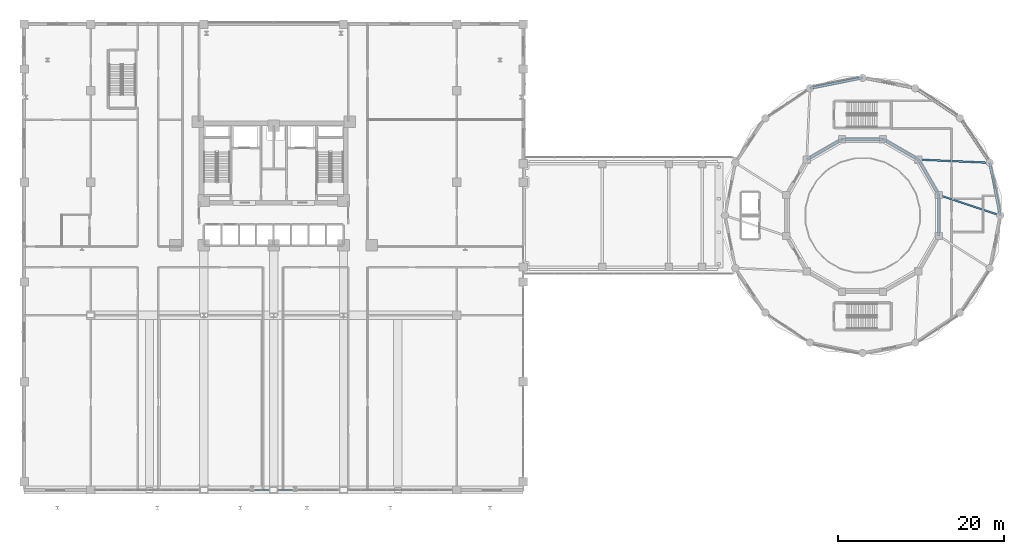
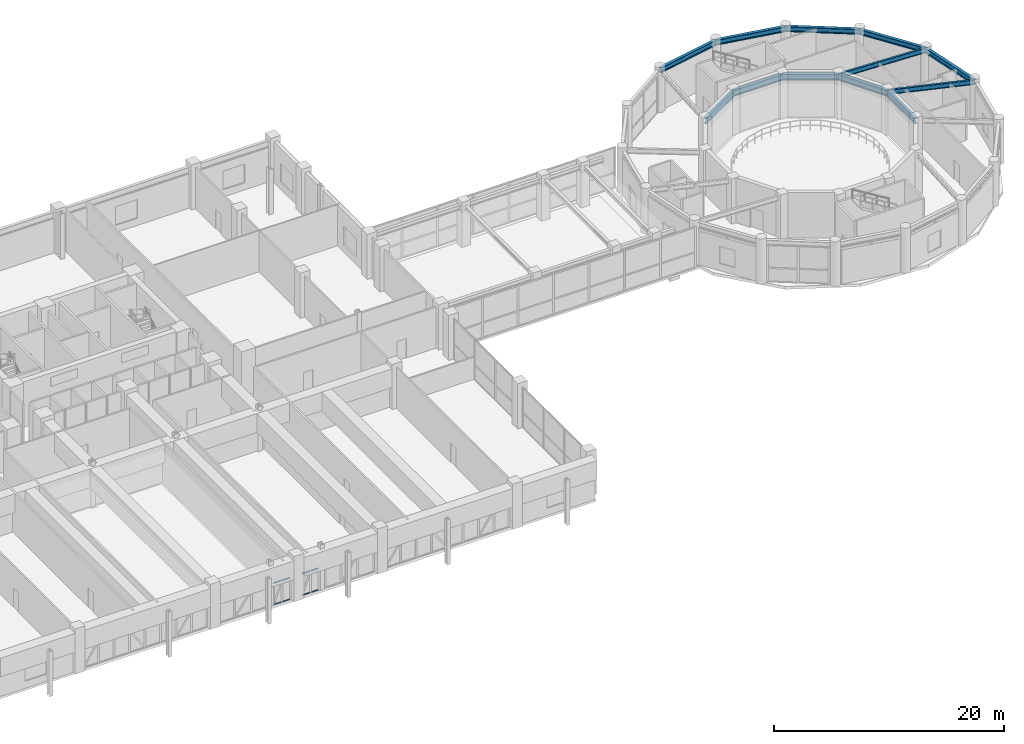
# One storey, part 25 of 44: 12 beams, 8 members, 2 elements without a shape of their own.
"""IFC4 building model written with IfcOpenShell, lengths in metres."""

from ifc_helpers import new_model, si_unit, derived_unit, direction, frame, origin, origin_2d, place, context, subcontext, project, spatial, hollow_rectangle, i_section, extrude, source, transform, mapped, material, layer, layer_set, material_profile, profile_set, type_object, element, aggregate, save


model = new_model("IFC4")

# Units and contexts
model_context = context("Model", 3, precision=1e-05, world=origin(), true_north=direction((0.0, 1.0)))
body_context = subcontext(model_context, "Body", "Model", "MODEL_VIEW")
ifc_project = project(units=[si_unit("LENGTHUNIT", "METRE"), si_unit("AREAUNIT", "SQUARE_METRE"), si_unit("VOLUMEUNIT", "CUBIC_METRE"), si_unit("PLANEANGLEUNIT", "RADIAN"), si_unit("MASSUNIT", "GRAM", prefix="KILO"), derived_unit("THERMALTRANSMITTANCEUNIT", [(si_unit("POWERUNIT", "WATT"), 1), (si_unit("LENGTHUNIT", "METRE"), -2), (si_unit("THERMODYNAMICTEMPERATUREUNIT", "KELVIN"), -1)])], contexts=[model_context])

# Site, building, storey
site_placement = place(None, origin())
site = spatial("IfcSite", under=ifc_project, at=site_placement, CompositionType="ELEMENT")
building_placement = place(site_placement, origin())
building = spatial("IfcBuilding", under=site, at=building_placement, Name="Korsvarv Bourse and Concert Hall", CompositionType="ELEMENT")
storey_placement = place(building_placement, frame((0.0, 0.0, 9.60009765625)))
storey = spatial("IfcBuildingStorey", under=building, at=storey_placement, Name="L02", CompositionType="ELEMENT", Elevation=9.60009765625)

# Beams
ifc_material_1 = material(Name="Steel S355", Category="steel")
ifc_material_profile_1 = material_profile(ifc_material_1, i_section(OverallWidth=0.300048828125, OverallDepth=0.550048828125, WebThickness=0.014892578125, FlangeThickness=0.029052734375, FilletRadius=0.02392578125, at=origin_2d()), Name="HEB 550")
ifc_profile_set_1 = profile_set([ifc_material_profile_1], Name="Steel S355")
beam_type_1 = type_object("IfcBeamType", Name="BM-HEB550", PredefinedType="BEAM", material=ifc_profile_set_1)
shared_shape_1 = source(origin(), body_context, "Body", "SweptSolid", [
    extrude(i_section(OverallWidth=0.300048828125, OverallDepth=0.550048828125, WebThickness=0.014892578125, FlangeThickness=0.029052734375, FilletRadius=0.02392578125, at=origin_2d()), origin(), (0.0, 0.0, 1.0), 6.45751953125),
])
for number, where, z_axis, x_axis, name in (
    (1, (123.35009765625, 36.0, 4.224853515625), (-0.195119974887, 0.980779381615, 0.0), (-0.980779381615, -0.195119974887, 0.0), "L02 beam B-06"),
    (2, (106.800048828125, 52.550048828125, 4.224853515625), (-0.980786616034, -0.195083607229, 0.0), (0.195083607229, -0.980786616034, 0.0), "L02 beam B-06"),
):
    element("IfcBeam", number, at=place(storey_placement, frame(where, z_axis=z_axis, x_axis=x_axis)), inside=storey, type_object=beam_type_1, Name=name, PredefinedType="BEAM", context=body_context, shape_type="MappedRepresentation", body=[
        mapped(shared_shape_1, transform((0.0, 0.0, 0.0), scale=1.0)),
    ])
shared_shape_2 = source(origin(), body_context, "Body", "SweptSolid", [
    extrude(i_section(OverallWidth=0.300048828125, OverallDepth=0.550048828125, WebThickness=0.014892578125, FlangeThickness=0.029052734375, FilletRadius=0.02392578125, at=origin_2d()), origin(), (0.0, 0.0, 1.0), 6.457275390625),
])
for number, where, z_axis, x_axis, name in (
    (3, (122.090087890625, 42.33349609375, 4.224853515625), (-0.555554952257, 0.831479822379, 0.0), (-0.831479822379, -0.555554952257, 0.0), "L02 beam B-06"),
    (4, (113.13330078125, 51.290283203125, 4.224853515625), (-0.980785177113, 0.19509084129, 0.0), (-0.19509084129, -0.980785177113, 0.0), "L02 beam B-06"),
):
    element("IfcBeam", number, at=place(storey_placement, frame(where, z_axis=z_axis, x_axis=x_axis)), inside=storey, type_object=beam_type_1, Name=name, PredefinedType="BEAM", context=body_context, shape_type="MappedRepresentation", body=[
        mapped(shared_shape_2, transform((0.0, 0.0, 0.0), scale=1.0)),
    ])
shared_shape_3 = source(origin(), body_context, "Body", "SweptSolid", [
    extrude(i_section(OverallWidth=0.300048828125, OverallDepth=0.550048828125, WebThickness=0.014892578125, FlangeThickness=0.029052734375, FilletRadius=0.02392578125, at=origin_2d()), origin(), (0.0, 0.0, 1.0), 6.457763671875),
])
beam_1_placement = place(storey_placement, frame((118.502685546875, 47.70263671875, 4.224853515625), z_axis=(-0.831474026951, 0.555563625974, 0.0), x_axis=(-0.555563625974, -0.831474026951, 0.0)))
element("IfcBeam", 5, at=beam_1_placement, inside=storey, type_object=beam_type_1, Name="L02 beam B-06", PredefinedType="BEAM", context=body_context, shape_type="MappedRepresentation", body=[
    mapped(shared_shape_3, transform((0.0, 0.0, 0.0), scale=1.0)),
])
ifc_material_profile_2 = material_profile(ifc_material_1, i_section(OverallWidth=0.300048828125, OverallDepth=0.64990234375, WebThickness=0.01611328125, FlangeThickness=0.031005859375, FilletRadius=0.027099609375, at=origin_2d()), Name="HEB 650")
ifc_profile_set_2 = profile_set([ifc_material_profile_2], Name="Steel S355")
beam_type_2 = type_object("IfcBeamType", Name="BM-HEB650", PredefinedType="BEAM", material=ifc_profile_set_2)
shared_shape_4 = source(origin(), body_context, "Body", "SweptSolid", [
    extrude(i_section(OverallWidth=0.300048828125, OverallDepth=0.64990234375, WebThickness=0.01611328125, FlangeThickness=0.031005859375, FilletRadius=0.027099609375, at=origin_2d()), origin(), (0.0, 0.0, 1.0), 4.91748046875),
])
for number, where, z_axis, x_axis, name in (
    (6, (115.976318359375, 38.458740234375, 4.1748046875), (-0.499988900423, 0.866031812033, 0.0), (-0.866031812033, -0.499988900423, 0.0), "L02 beam B-04"),
    (7, (113.517578125, 42.717529296875, 4.1748046875), (-0.866031812033, 0.499988900423, 0.0), (-0.499988900423, -0.866031812033, 0.0), "L02 beam B-04"),
    (8, (109.2587890625, 45.17626953125, 4.1748046875), (-1.0, 0.0, 0.0), (0.0, -1.0, 0.0), "L02 beam B-04"),
    (9, (104.34130859375, 45.17626953125, 4.1748046875), (-0.866031812033, -0.499988900423, 0.0), (0.499988900423, -0.866031812033, 0.0), "L02 beam B-04"),
    (10, (115.976318359375, 33.541259765625, 4.1748046875), (0.0, 1.0, 0.0), (-1.0, 0.0, 0.0), "L02 beam B-04"),
):
    element("IfcBeam", number, at=place(storey_placement, frame(where, z_axis=z_axis, x_axis=x_axis)), inside=storey, type_object=beam_type_2, Name=name, PredefinedType="BEAM", context=body_context, shape_type="MappedRepresentation", body=[
        mapped(shared_shape_4, transform((0.0, 0.0, 0.0), scale=1.0)),
    ])
ifc_material_profile_3 = material_profile(ifc_material_1, i_section(OverallWidth=0.199951171875, OverallDepth=0.5, WebThickness=0.01025390625, FlangeThickness=0.01611328125, FilletRadius=0.02099609375, at=origin_2d()), Name="IPE 500")
ifc_profile_set_3 = profile_set([ifc_material_profile_3], Name="Steel S355")
beam_type_3 = type_object("IfcBeamType", Name="BM-IPE500", PredefinedType="JOIST", material=ifc_profile_set_3)
shared_shape_5 = source(origin(), body_context, "Body", "SweptSolid", [
    extrude(i_section(OverallWidth=0.199951171875, OverallDepth=0.5, WebThickness=0.01025390625, FlangeThickness=0.01611328125, FilletRadius=0.02099609375, at=origin_2d()), origin(), (0.0, 0.0, 1.0), 7.77294921875),
])
beam_2_placement = place(storey_placement, frame((115.976318359375, 38.458740234375, 4.25), z_axis=(0.948651884177, -0.316321992039, 0.0), x_axis=(0.316321992039, 0.948651884177, 0.0)))
element("IfcBeam", 11, at=beam_2_placement, inside=storey, type_object=beam_type_3, Name="L02 beam J-03", PredefinedType="JOIST", context=body_context, shape_type="MappedRepresentation", body=[
    mapped(shared_shape_5, transform((0.0, 0.0, 0.0), scale=1.0)),
])
shared_shape_6 = source(origin(), body_context, "Body", "SweptSolid", [
    extrude(i_section(OverallWidth=0.199951171875, OverallDepth=0.5, WebThickness=0.01025390625, FlangeThickness=0.01611328125, FilletRadius=0.02099609375, at=origin_2d()), origin(), (0.0, 0.0, 1.0), 8.5810546875),
])
beam_3_placement = place(storey_placement, frame((113.517578125, 42.717529296875, 4.25), z_axis=(0.998998067431, -0.044753338082, 0.0), x_axis=(0.044753338082, 0.998998067431, 0.0)))
element("IfcBeam", 12, at=beam_3_placement, inside=storey, type_object=beam_type_3, Name="L02 beam J-03", PredefinedType="JOIST", context=body_context, shape_type="MappedRepresentation", body=[
    mapped(shared_shape_6, transform((0.0, 0.0, 0.0), scale=1.0)),
])

# Curtain wall, members
ifc_material_2 = material(Name="Anodised aluminium and triple low-E glazing", Category="glass")
ifc_layer = layer(ifc_material_2, 0.239990234375)
ifc_layer_set = layer_set([ifc_layer], Name="Anodised aluminium and triple low-E glazing")
curtain_wall_type = type_object("IfcCurtainWallType", Name="CW-SYS-5", PredefinedType="NOTDEFINED", material=ifc_layer_set)
curtain_wall_1_placement = place(storey_placement, origin())
curtain_wall_1 = element("IfcCurtainWall", 13, at=curtain_wall_1_placement, inside=storey, type_object=curtain_wall_type, Name="L02 CW5 curtain wall CW-L02-S3-2", PredefinedType="NOTDEFINED")
ifc_material_3 = material(Name="Extruded aluminium EN AW-6063 T66", Category="aluminium")
ifc_material_profile_4 = material_profile(ifc_material_3, hollow_rectangle(XDim=0.06494140625, YDim=0.139892578125, WallThickness=0.00390625, at=origin_2d()), Name="ALU-T 65x140")
ifc_profile_set_4 = profile_set([ifc_material_profile_4], Name="Extruded aluminium EN AW-6063 T66")
member_type = type_object("IfcMemberType", Name="CWT-140", PredefinedType="USERDEFINED", material=ifc_profile_set_4)
shared_shape_7 = source(origin(), body_context, "Body", "SweptSolid", [
    extrude(hollow_rectangle(XDim=0.06494140625, YDim=0.139892578125, WallThickness=0.00390625, at=origin_2d()), origin(), (0.0, 0.0, 1.0), 0.780029296875),
])
member_1_placement = place(storey_placement, frame((33.75, 3.0, 0.032470703125), z_axis=(1.0, 0.0, 0.0), x_axis=(0.0, 1.0, 0.0)))
member_1 = element("IfcMember", 14, at=member_1_placement, type_object=member_type, Name="CW5 transom 1.1", ObjectType="TRANSOM", PredefinedType="USERDEFINED", context=body_context, shape_type="MappedRepresentation", body=[
    mapped(shared_shape_7, transform((0.0, 0.0, 0.0), scale=1.0)),
])
member_2_placement = place(storey_placement, frame((33.75, 3.0, 2.3173828125), z_axis=(1.0, 0.0, 0.0), x_axis=(0.0, 1.0, 0.0)))
member_2 = element("IfcMember", 15, at=member_2_placement, type_object=member_type, Name="CW5 transom 1.2", ObjectType="TRANSOM", PredefinedType="USERDEFINED", context=body_context, shape_type="MappedRepresentation", body=[
    mapped(shared_shape_7, transform((0.0, 0.0, 0.0), scale=1.0)),
])

curtain_wall_2_placement = place(storey_placement, origin())
curtain_wall_2 = element("IfcCurtainWall", 16, at=curtain_wall_2_placement, inside=storey, type_object=curtain_wall_type, Name="L02 CW5 curtain wall CW-L02-S4-1", PredefinedType="NOTDEFINED")
member_3_placement = place(storey_placement, frame((37.469970703125, 3.0, 0.032470703125), z_axis=(1.0, 0.0, 0.0), x_axis=(0.0, 1.0, 0.0)))
member_3 = element("IfcMember", 17, at=member_3_placement, type_object=member_type, Name="CW5 transom 2.1", ObjectType="TRANSOM", PredefinedType="USERDEFINED", context=body_context, shape_type="MappedRepresentation", body=[
    mapped(shared_shape_7, transform((0.0, 0.0, 0.0), scale=1.0)),
])
member_4_placement = place(storey_placement, frame((37.469970703125, 3.0, 2.3173828125), z_axis=(1.0, 0.0, 0.0), x_axis=(0.0, 1.0, 0.0)))
member_4 = element("IfcMember", 18, at=member_4_placement, type_object=member_type, Name="CW5 transom 2.2", ObjectType="TRANSOM", PredefinedType="USERDEFINED", context=body_context, shape_type="MappedRepresentation", body=[
    mapped(shared_shape_7, transform((0.0, 0.0, 0.0), scale=1.0)),
])

# Member
shared_shape_8 = source(origin(), body_context, "Body", "SweptSolid", [
    extrude(hollow_rectangle(XDim=0.06494140625, YDim=0.139892578125, WallThickness=0.00390625, at=origin_2d()), origin(), (0.0, 0.0, 1.0), 0.77978515625),
])
member_5_placement = place(storey_placement, frame((34.60009765625, 3.0, 0.032470703125), z_axis=(1.0, 0.0, 0.0), x_axis=(0.0, 1.0, 0.0)))
member_5 = element("IfcMember", 19, at=member_5_placement, type_object=member_type, Name="CW5 transom 2.1", ObjectType="TRANSOM", PredefinedType="USERDEFINED", context=body_context, shape_type="MappedRepresentation", body=[
    mapped(shared_shape_8, transform((0.0, 0.0, 0.0), scale=1.0)),
])

member_6_placement = place(storey_placement, frame((34.60009765625, 3.0, 2.3173828125), z_axis=(1.0, 0.0, 0.0), x_axis=(0.0, 1.0, 0.0)))
member_6 = element("IfcMember", 20, at=member_6_placement, type_object=member_type, Name="CW5 transom 2.2", ObjectType="TRANSOM", PredefinedType="USERDEFINED", context=body_context, shape_type="MappedRepresentation", body=[
    mapped(shared_shape_8, transform((0.0, 0.0, 0.0), scale=1.0)),
])

aggregate(curtain_wall_1, [member_1, member_2, member_5, member_6])

member_7_placement = place(storey_placement, frame((36.6201171875, 3.0, 0.032470703125), z_axis=(1.0, 0.0, 0.0), x_axis=(0.0, 1.0, 0.0)))
member_7 = element("IfcMember", 21, at=member_7_placement, type_object=member_type, Name="CW5 transom 1.1", ObjectType="TRANSOM", PredefinedType="USERDEFINED", context=body_context, shape_type="MappedRepresentation", body=[
    mapped(shared_shape_8, transform((0.0, 0.0, 0.0), scale=1.0)),
])

member_8_placement = place(storey_placement, frame((36.6201171875, 3.0, 2.3173828125), z_axis=(1.0, 0.0, 0.0), x_axis=(0.0, 1.0, 0.0)))
member_8 = element("IfcMember", 22, at=member_8_placement, type_object=member_type, Name="CW5 transom 1.2", ObjectType="TRANSOM", PredefinedType="USERDEFINED", context=body_context, shape_type="MappedRepresentation", body=[
    mapped(shared_shape_8, transform((0.0, 0.0, 0.0), scale=1.0)),
])

aggregate(curtain_wall_2, [member_7, member_8, member_3, member_4])

save(model, "model.ifc")
